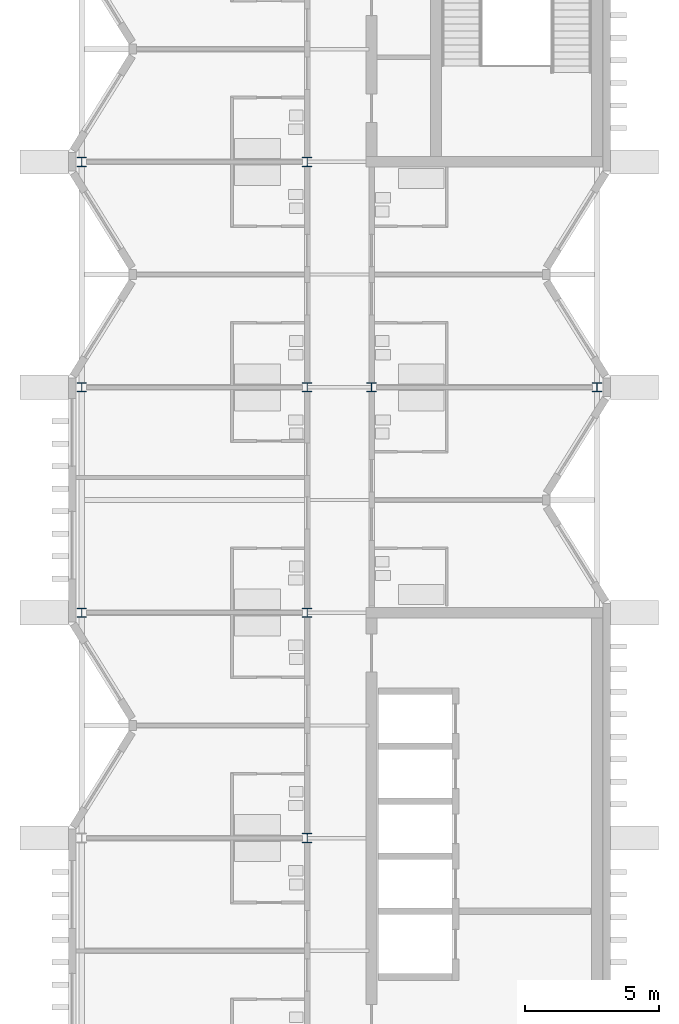
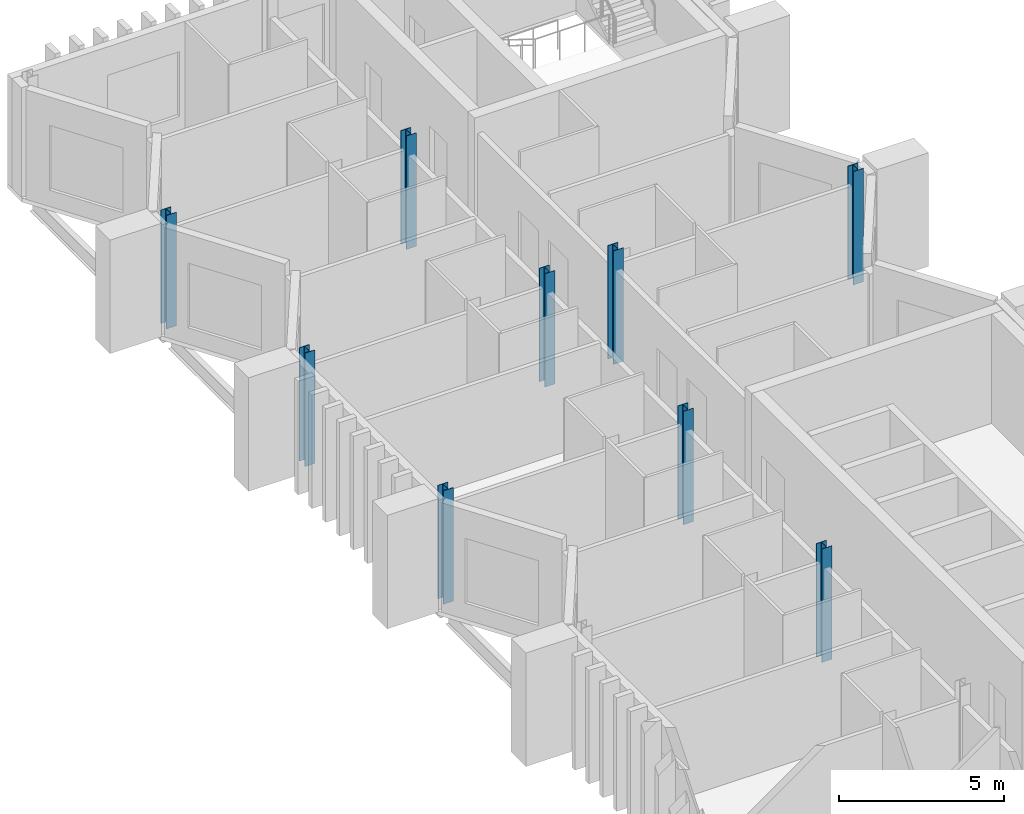
# One storey, part 2 of 11: 9 columns.
"""IFC4 building model written with IfcOpenShell, lengths in metres."""

import ifcopenshell
import ifcopenshell.guid

model = None  # the IFC model being written
_history = None  # IfcOwnerHistory: only IFC2X3 demands one
_inside = {}  # id of a spatial element -> (the spatial element, [elements in it])
_under = {}  # id of a project, library or spatial element -> (it, [spatial elements below it])
_declared = {}  # id of a project -> (the project, [libraries it declares])
_typed = {}  # id of a type object -> (the type object, [elements of that type])
_made_of = {}  # id of a material, layer set ... -> (it, [elements and type objects made of it])


def new_model(schema):
    """Start an empty IFC model of exactly this schema.

    Asked for "IFC4X3", IfcOpenShell would pick the latest addendum, in which some entities
    have other attributes; the version numbers below select the first issue.
    IFC2X3 requires an IfcOwnerHistory on every rooted entity: one is made here for all.
    """
    global model, _history
    if schema == "IFC4X3":
        model = ifcopenshell.file(schema_version=(4, 3, 0, 0))
    else:
        model = ifcopenshell.file(schema=schema)
    _inside.clear()
    _under.clear()
    _declared.clear()
    _typed.clear()
    _made_of.clear()
    _history = None
    if model.schema == "IFC2X3":
        org = make("IfcOrganization", Name="unknown")
        user = make(
            "IfcPersonAndOrganization",
            ThePerson=make("IfcPerson", FamilyName="unknown"),
            TheOrganization=org,
        )
        app = make(
            "IfcApplication",
            ApplicationDeveloper=org,
            Version="unknown",
            ApplicationFullName="unknown",
            ApplicationIdentifier="unknown",
        )
        _history = make(
            "IfcOwnerHistory",
            OwningUser=user,
            OwningApplication=app,
            ChangeAction="ADDED",
            CreationDate=0,
        )
    return model


def make(cls, **values):
    """One entity of the class cls with the attributes given. An attribute that is None is left unset."""
    return model.create_entity(
        cls, **{name: value for name, value in values.items() if value is not None}
    )


def rooted(cls, **values):
    """An entity with a GlobalId (a new one), such as an element, a storey or a relation."""
    return make(cls, GlobalId=ifcopenshell.guid.new(), OwnerHistory=_history, **values)


def si_unit(unit_type, name, prefix=None):
    """IfcSIUnit, for example si_unit("LENGTHUNIT", "METRE", prefix="MILLI")."""
    return make("IfcSIUnit", UnitType=unit_type, Prefix=prefix, Name=name)


def assignment(units):
    """IfcUnitAssignment: the units of a project."""
    return None if units is None else make("IfcUnitAssignment", Units=units)


def point(xyz):
    """IfcCartesianPoint."""
    return None if xyz is None else make("IfcCartesianPoint", Coordinates=xyz)


def direction(xyz):
    """IfcDirection."""
    return None if xyz is None else make("IfcDirection", DirectionRatios=xyz)


def frame(location, z_axis=None, x_axis=None):
    """IfcAxis2Placement3D, a coordinate frame: its origin and axes. An axis left out is left unset."""
    return make(
        "IfcAxis2Placement3D",
        Location=point(location),
        Axis=direction(z_axis),
        RefDirection=direction(x_axis),
    )


def frame_2d(location, x_axis=None):
    """IfcAxis2Placement2D, a coordinate frame in the plane: its origin and x axis."""
    return make(
        "IfcAxis2Placement2D", Location=point(location), RefDirection=direction(x_axis)
    )


def origin():
    """The frame at (0, 0, 0) with its axes left unset."""
    return frame((0.0, 0.0, 0.0))


def origin_2d():
    """The frame at (0, 0) in the plane with its x axis left unset."""
    return frame_2d((0.0, 0.0))


def place(relative_to, where):
    """IfcLocalPlacement: puts the frame where relative to a parent placement (None: the world)."""
    return make(
        "IfcLocalPlacement", PlacementRelTo=relative_to, RelativePlacement=where
    )


def context(
    kind, dimensions, precision=None, world=None, true_north=None, identifier=None
):
    """IfcGeometricRepresentationContext, for example the 3D "Model" context."""
    return make(
        "IfcGeometricRepresentationContext",
        ContextIdentifier=identifier,
        ContextType=kind,
        CoordinateSpaceDimension=dimensions,
        Precision=precision,
        WorldCoordinateSystem=world,
        TrueNorth=true_north,
    )


def subcontext(parent, identifier, kind, view, scale=None):
    """IfcGeometricRepresentationSubContext, for example "Body" below "Model"."""
    return make(
        "IfcGeometricRepresentationSubContext",
        ContextIdentifier=identifier,
        ContextType=kind,
        ParentContext=parent,
        TargetScale=scale,
        TargetView=view,
    )


def project(units=None, contexts=None):
    """IfcProject with its units and contexts."""
    return rooted(
        "IfcProject",
        Name="project",
        RepresentationContexts=contexts,
        UnitsInContext=assignment(units),
    )


def spatial(cls, under=None, at=None, **own):
    """A site, building, storey or space (cls), placed at a placement, below another one or the project."""
    s = rooted(cls, ObjectPlacement=at, **own)
    if under is not None:
        _under.setdefault(under.id(), (under, []))[1].append(s)
    return s


def profile(cls, at=None, kind="AREA", **sizes):
    """A parametric profile (cls). Its sizes go by their IFC names, for example OverallWidth=200.0."""
    return make(cls, ProfileType=kind, Position=at, **sizes)


def i_section(**sizes):
    """IfcIShapeProfileDef."""
    return profile("IfcIShapeProfileDef", **sizes)


def extrude(swept, where, along, depth):
    """IfcExtrudedAreaSolid: the profile swept, set in the frame where, extruded along a direction by depth."""
    return make(
        "IfcExtrudedAreaSolid",
        SweptArea=swept,
        Position=where,
        ExtrudedDirection=direction(along),
        Depth=depth,
    )


def shape(context_of_items, identifier, shape_type, items):
    """IfcShapeRepresentation: the items that make up one representation, for example the "Body"."""
    return make(
        "IfcShapeRepresentation",
        ContextOfItems=context_of_items,
        RepresentationIdentifier=identifier,
        RepresentationType=shape_type,
        Items=items,
    )


def material(Name=None, Category=None):
    """IfcMaterial."""
    return make("IfcMaterial", Name=Name, Category=Category)


def material_profile(
    of_material, cross_section, Name=None, Category=None, Priority=None
):
    """IfcMaterialProfile: a cross section and its material."""
    return make(
        "IfcMaterialProfile",
        Name=Name,
        Material=of_material,
        Profile=cross_section,
        Priority=Priority,
        Category=Category,
    )


def profile_set(profiles, Name=None, composite=None):
    """IfcMaterialProfileSet."""
    return make(
        "IfcMaterialProfileSet",
        Name=Name,
        MaterialProfiles=profiles,
        CompositeProfile=composite,
    )


def made_of(thing, what):
    """Note that an element or type object is made of a material, layer set ...; save() writes the relation."""
    if what is not None:
        _made_of.setdefault(what.id(), (what, []))[1].append(thing)
    return thing


def type_object(cls, material=None, **own):
    """A type object (cls), such as IfcWallType, which elements share."""
    return made_of(rooted(cls, **own), material)


def element(
    cls,
    number,
    at=None,
    inside=None,
    cuts=None,
    type_object=None,
    material=None,
    context=None,
    identifier="Body",
    shape_type=None,
    held_by="IfcProductDefinitionShape",
    body=None,
    shapes=None,
    **own,
):
    """One element of the class cls, such as IfcWall. Its Tag is "e" and its number.

    at: its placement. inside: the storey or other place that contains it. cuts: it is an
    opening in that element (IfcRelVoidsElement). A single representation is given by context,
    identifier, shape_type and body (its items); several are given by shapes. held_by: the class
    of the entity that holds the representations. save() writes the other relations.
    """
    e = rooted(cls, Tag="e%d" % number, ObjectPlacement=at, **own)
    if body is not None:
        shapes = [shape(context, identifier, shape_type, body)]
    if shapes is not None:
        e.Representation = make(held_by, Representations=shapes)
    if inside is not None:
        _inside.setdefault(inside.id(), (inside, []))[1].append(e)
    if cuts is not None:
        rooted(
            "IfcRelVoidsElement", RelatingBuildingElement=cuts, RelatedOpeningElement=e
        )
    if type_object is not None:
        _typed.setdefault(type_object.id(), (type_object, []))[1].append(e)
    return made_of(e, material)


def aggregate(whole, parts):
    """IfcRelAggregates: a whole, such as a stair, and the parts it consists of."""
    return rooted("IfcRelAggregates", RelatingObject=whole, RelatedObjects=parts)


def save(model, path):
    """Write the relations noted so far, then the file.

    IfcRelAggregates (storeys below a building ...), IfcRelContainedInSpatialStructure (elements
    in a storey), IfcRelDefinesByType, IfcRelAssociatesMaterial and IfcRelDeclares: one each for
    every whole, place, type object, material and project.
    """
    for whole, parts in _under.values():
        aggregate(whole, parts)
    for where, things in _inside.values():
        rooted(
            "IfcRelContainedInSpatialStructure",
            RelatedElements=things,
            RelatingStructure=where,
        )
    for kind, things in _typed.values():
        rooted("IfcRelDefinesByType", RelatedObjects=things, RelatingType=kind)
    for what, things in _made_of.values():
        rooted("IfcRelAssociatesMaterial", RelatedObjects=things, RelatingMaterial=what)
    for by, libraries in _declared.values():
        rooted("IfcRelDeclares", RelatingContext=by, RelatedDefinitions=libraries)
    model.write(path)


model = new_model("IFC4")

# Units and contexts
model_context = context("Model", 3, precision=1e-05, world=origin(), true_north=direction((0.0, 1.0)))
body_context = subcontext(model_context, "Body", "Model", "MODEL_VIEW")
ifc_project = project(units=[si_unit("LENGTHUNIT", "METRE"), si_unit("AREAUNIT", "SQUARE_METRE"), si_unit("VOLUMEUNIT", "CUBIC_METRE"), si_unit("PLANEANGLEUNIT", "RADIAN"), si_unit("MASSUNIT", "GRAM", prefix="KILO")], contexts=[model_context])

# Site, building, storey
site_placement = place(None, origin())
site = spatial("IfcSite", under=ifc_project, at=site_placement, CompositionType="ELEMENT")
building_placement = place(site_placement, origin())
building = spatial("IfcBuilding", under=site, at=building_placement, Name="Cresset Court Congress Hotel", CompositionType="ELEMENT")
storey_placement = place(building_placement, frame((0.0, 0.0, 43.800048828125)))
storey = spatial("IfcBuildingStorey", under=building, at=storey_placement, Name="L10", CompositionType="ELEMENT", Elevation=43.800048828125)

# Columns
ifc_material = material(Name="Structural steel Q355B", Category="steel")
ifc_material_profile = material_profile(ifc_material, i_section(OverallWidth=0.35009765625, OverallDepth=0.35009765625, WebThickness=0.011962890625, FlangeThickness=0.01904296875, FilletRadius=0.012939453125, at=origin_2d()), Name="HW350x350x12x19")
ifc_profile_set = profile_set([ifc_material_profile], Name="Structural steel Q355B")
column_type = type_object("IfcColumnType", Name="Steel column HW350x350x12x19", PredefinedType="COLUMN", material=ifc_profile_set)
for number, where, z_axis, x_axis, name in (
    (1, (157.199951171875, 42.0, 0.0), (0.0, 0.0, 1.0), (1.0, 0.0, 0.0), "Column L10 6-20"),
    (2, (157.199951171875, 50.39990234375, 0.0), (0.0, 0.0, 1.0), (1.0, 0.0, 0.0), "Column L10 7-20"),
    (3, (157.199951171875, 58.800048828125, 0.0), (0.0, 0.0, 1.0), (1.0, 0.0, 0.0), "Column L10 8-20"),
    (4, (165.60009765625, 33.60009765625, 0.0), (0.0, 0.0, 1.0), (1.0, 0.0, 0.0), "Column L10 5-21"),
    (5, (165.60009765625, 42.0, 0.0), (0.0, 0.0, 1.0), (1.0, 0.0, 0.0), "Column L10 6-21"),
    (6, (165.60009765625, 50.39990234375, 0.0), (0.0, 0.0, 1.0), (1.0, 0.0, 0.0), "Column L10 7-21"),
    (7, (165.60009765625, 58.800048828125, 0.0), (0.0, 0.0, 1.0), (1.0, 0.0, 0.0), "Column L10 8-21"),
    (8, (168.0, 50.39990234375, 0.0), (0.0, 0.0, 1.0), (1.0, 0.0, 0.0), "Column L10 7-22"),
    (9, (176.39990234375, 50.39990234375, 0.0), (0.0, 0.0, 1.0), (1.0, 0.0, 0.0), "Column L10 7-23"),
):
    element("IfcColumn", number, at=place(storey_placement, frame(where, z_axis=z_axis, x_axis=x_axis)), inside=storey, type_object=column_type, Name=name, PredefinedType="COLUMN", context=body_context, shape_type="SweptSolid", body=[
        extrude(i_section(OverallWidth=0.35009765625, OverallDepth=0.35009765625, WebThickness=0.011962890625, FlangeThickness=0.01904296875, FilletRadius=0.012939453125, at=origin_2d()), origin(), (0.0, 0.0, 1.0), 4.199951171875),
    ])

save(model, "model.ifc")
